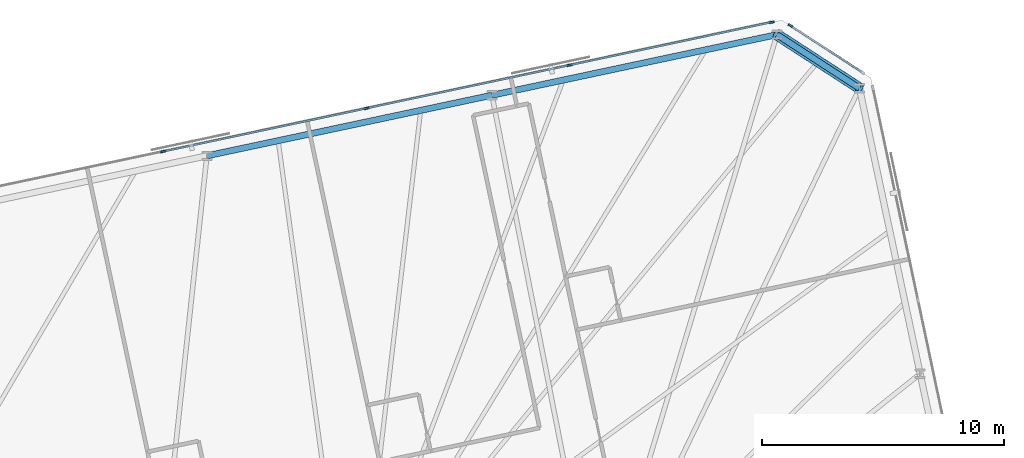
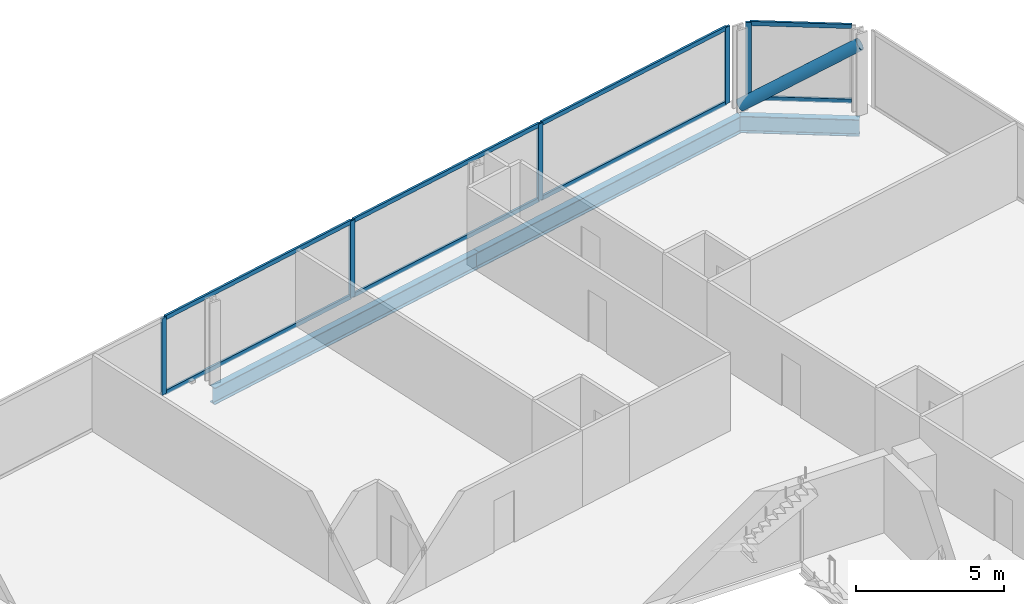
# One storey, part 11 of 19: 14 members, 3 beams, 2 elements without a shape of their own.
"""IFC4 building model written with IfcOpenShell, lengths in metres."""

import ifcopenshell
import ifcopenshell.guid

model = None  # the IFC model being written
_history = None  # IfcOwnerHistory: only IFC2X3 demands one
_inside = {}  # id of a spatial element -> (the spatial element, [elements in it])
_under = {}  # id of a project, library or spatial element -> (it, [spatial elements below it])
_declared = {}  # id of a project -> (the project, [libraries it declares])
_typed = {}  # id of a type object -> (the type object, [elements of that type])
_made_of = {}  # id of a material, layer set ... -> (it, [elements and type objects made of it])


def new_model(schema):
    """Start an empty IFC model of exactly this schema.

    Asked for "IFC4X3", IfcOpenShell would pick the latest addendum, in which some entities
    have other attributes; the version numbers below select the first issue.
    IFC2X3 requires an IfcOwnerHistory on every rooted entity: one is made here for all.
    """
    global model, _history
    if schema == "IFC4X3":
        model = ifcopenshell.file(schema_version=(4, 3, 0, 0))
    else:
        model = ifcopenshell.file(schema=schema)
    _inside.clear()
    _under.clear()
    _declared.clear()
    _typed.clear()
    _made_of.clear()
    _history = None
    if model.schema == "IFC2X3":
        org = make("IfcOrganization", Name="unknown")
        user = make(
            "IfcPersonAndOrganization",
            ThePerson=make("IfcPerson", FamilyName="unknown"),
            TheOrganization=org,
        )
        app = make(
            "IfcApplication",
            ApplicationDeveloper=org,
            Version="unknown",
            ApplicationFullName="unknown",
            ApplicationIdentifier="unknown",
        )
        _history = make(
            "IfcOwnerHistory",
            OwningUser=user,
            OwningApplication=app,
            ChangeAction="ADDED",
            CreationDate=0,
        )
    return model


def make(cls, **values):
    """One entity of the class cls with the attributes given. An attribute that is None is left unset."""
    return model.create_entity(
        cls, **{name: value for name, value in values.items() if value is not None}
    )


def rooted(cls, **values):
    """An entity with a GlobalId (a new one), such as an element, a storey or a relation."""
    return make(cls, GlobalId=ifcopenshell.guid.new(), OwnerHistory=_history, **values)


def si_unit(unit_type, name, prefix=None):
    """IfcSIUnit, for example si_unit("LENGTHUNIT", "METRE", prefix="MILLI")."""
    return make("IfcSIUnit", UnitType=unit_type, Prefix=prefix, Name=name)


def assignment(units):
    """IfcUnitAssignment: the units of a project."""
    return None if units is None else make("IfcUnitAssignment", Units=units)


def point(xyz):
    """IfcCartesianPoint."""
    return None if xyz is None else make("IfcCartesianPoint", Coordinates=xyz)


def direction(xyz):
    """IfcDirection."""
    return None if xyz is None else make("IfcDirection", DirectionRatios=xyz)


def frame(location, z_axis=None, x_axis=None):
    """IfcAxis2Placement3D, a coordinate frame: its origin and axes. An axis left out is left unset."""
    return make(
        "IfcAxis2Placement3D",
        Location=point(location),
        Axis=direction(z_axis),
        RefDirection=direction(x_axis),
    )


def frame_2d(location, x_axis=None):
    """IfcAxis2Placement2D, a coordinate frame in the plane: its origin and x axis."""
    return make(
        "IfcAxis2Placement2D", Location=point(location), RefDirection=direction(x_axis)
    )


def origin():
    """The frame at (0, 0, 0) with its axes left unset."""
    return frame((0.0, 0.0, 0.0))


def origin_2d():
    """The frame at (0, 0) in the plane with its x axis left unset."""
    return frame_2d((0.0, 0.0))


def place(relative_to, where):
    """IfcLocalPlacement: puts the frame where relative to a parent placement (None: the world)."""
    return make(
        "IfcLocalPlacement", PlacementRelTo=relative_to, RelativePlacement=where
    )


def context(
    kind, dimensions, precision=None, world=None, true_north=None, identifier=None
):
    """IfcGeometricRepresentationContext, for example the 3D "Model" context."""
    return make(
        "IfcGeometricRepresentationContext",
        ContextIdentifier=identifier,
        ContextType=kind,
        CoordinateSpaceDimension=dimensions,
        Precision=precision,
        WorldCoordinateSystem=world,
        TrueNorth=true_north,
    )


def subcontext(parent, identifier, kind, view, scale=None):
    """IfcGeometricRepresentationSubContext, for example "Body" below "Model"."""
    return make(
        "IfcGeometricRepresentationSubContext",
        ContextIdentifier=identifier,
        ContextType=kind,
        ParentContext=parent,
        TargetScale=scale,
        TargetView=view,
    )


def project(units=None, contexts=None):
    """IfcProject with its units and contexts."""
    return rooted(
        "IfcProject",
        Name="project",
        RepresentationContexts=contexts,
        UnitsInContext=assignment(units),
    )


def spatial(cls, under=None, at=None, **own):
    """A site, building, storey or space (cls), placed at a placement, below another one or the project."""
    s = rooted(cls, ObjectPlacement=at, **own)
    if under is not None:
        _under.setdefault(under.id(), (under, []))[1].append(s)
    return s


def profile(cls, at=None, kind="AREA", **sizes):
    """A parametric profile (cls). Its sizes go by their IFC names, for example OverallWidth=200.0."""
    return make(cls, ProfileType=kind, Position=at, **sizes)


def rectangle(**sizes):
    """IfcRectangleProfileDef."""
    return profile("IfcRectangleProfileDef", **sizes)


def hollow_circle(**sizes):
    """IfcCircleHollowProfileDef."""
    return profile("IfcCircleHollowProfileDef", **sizes)


def i_section(**sizes):
    """IfcIShapeProfileDef."""
    return profile("IfcIShapeProfileDef", **sizes)


def extrude(swept, where, along, depth):
    """IfcExtrudedAreaSolid: the profile swept, set in the frame where, extruded along a direction by depth."""
    return make(
        "IfcExtrudedAreaSolid",
        SweptArea=swept,
        Position=where,
        ExtrudedDirection=direction(along),
        Depth=depth,
    )


def shape(context_of_items, identifier, shape_type, items):
    """IfcShapeRepresentation: the items that make up one representation, for example the "Body"."""
    return make(
        "IfcShapeRepresentation",
        ContextOfItems=context_of_items,
        RepresentationIdentifier=identifier,
        RepresentationType=shape_type,
        Items=items,
    )


def material(Name=None, Category=None):
    """IfcMaterial."""
    return make("IfcMaterial", Name=Name, Category=Category)


def material_profile(
    of_material, cross_section, Name=None, Category=None, Priority=None
):
    """IfcMaterialProfile: a cross section and its material."""
    return make(
        "IfcMaterialProfile",
        Name=Name,
        Material=of_material,
        Profile=cross_section,
        Priority=Priority,
        Category=Category,
    )


def profile_set(profiles, Name=None, composite=None):
    """IfcMaterialProfileSet."""
    return make(
        "IfcMaterialProfileSet",
        Name=Name,
        MaterialProfiles=profiles,
        CompositeProfile=composite,
    )


def made_of(thing, what):
    """Note that an element or type object is made of a material, layer set ...; save() writes the relation."""
    if what is not None:
        _made_of.setdefault(what.id(), (what, []))[1].append(thing)
    return thing


def type_object(cls, material=None, **own):
    """A type object (cls), such as IfcWallType, which elements share."""
    return made_of(rooted(cls, **own), material)


def element(
    cls,
    number,
    at=None,
    inside=None,
    cuts=None,
    type_object=None,
    material=None,
    context=None,
    identifier="Body",
    shape_type=None,
    held_by="IfcProductDefinitionShape",
    body=None,
    shapes=None,
    **own,
):
    """One element of the class cls, such as IfcWall. Its Tag is "e" and its number.

    at: its placement. inside: the storey or other place that contains it. cuts: it is an
    opening in that element (IfcRelVoidsElement). A single representation is given by context,
    identifier, shape_type and body (its items); several are given by shapes. held_by: the class
    of the entity that holds the representations. save() writes the other relations.
    """
    e = rooted(cls, Tag="e%d" % number, ObjectPlacement=at, **own)
    if body is not None:
        shapes = [shape(context, identifier, shape_type, body)]
    if shapes is not None:
        e.Representation = make(held_by, Representations=shapes)
    if inside is not None:
        _inside.setdefault(inside.id(), (inside, []))[1].append(e)
    if cuts is not None:
        rooted(
            "IfcRelVoidsElement", RelatingBuildingElement=cuts, RelatedOpeningElement=e
        )
    if type_object is not None:
        _typed.setdefault(type_object.id(), (type_object, []))[1].append(e)
    return made_of(e, material)


def aggregate(whole, parts):
    """IfcRelAggregates: a whole, such as a stair, and the parts it consists of."""
    return rooted("IfcRelAggregates", RelatingObject=whole, RelatedObjects=parts)


def save(model, path):
    """Write the relations noted so far, then the file.

    IfcRelAggregates (storeys below a building ...), IfcRelContainedInSpatialStructure (elements
    in a storey), IfcRelDefinesByType, IfcRelAssociatesMaterial and IfcRelDeclares: one each for
    every whole, place, type object, material and project.
    """
    for whole, parts in _under.values():
        aggregate(whole, parts)
    for where, things in _inside.values():
        rooted(
            "IfcRelContainedInSpatialStructure",
            RelatedElements=things,
            RelatingStructure=where,
        )
    for kind, things in _typed.values():
        rooted("IfcRelDefinesByType", RelatedObjects=things, RelatingType=kind)
    for what, things in _made_of.values():
        rooted("IfcRelAssociatesMaterial", RelatedObjects=things, RelatingMaterial=what)
    for by, libraries in _declared.values():
        rooted("IfcRelDeclares", RelatingContext=by, RelatedDefinitions=libraries)
    model.write(path)


model = new_model("IFC4")

# Units and contexts
model_context = context("Model", 3, precision=1e-05, world=origin(), true_north=direction((0.0, 1.0)))
body_context = subcontext(model_context, "Body", "Model", "MODEL_VIEW")
ifc_project = project(units=[si_unit("LENGTHUNIT", "METRE"), si_unit("AREAUNIT", "SQUARE_METRE"), si_unit("VOLUMEUNIT", "CUBIC_METRE"), si_unit("PLANEANGLEUNIT", "RADIAN"), si_unit("MASSUNIT", "GRAM", prefix="KILO")], contexts=[model_context])

# Site, building, storey
site_placement = place(None, origin())
site = spatial("IfcSite", under=ifc_project, at=site_placement, CompositionType="ELEMENT")
building_placement = place(site_placement, origin())
building = spatial("IfcBuilding", under=site, at=building_placement, Name="Menara Jurai Vektor", CompositionType="ELEMENT")
storey_placement = place(building_placement, frame((0.0, 0.0, 182.0)))
storey = spatial("IfcBuildingStorey", under=building, at=storey_placement, Name="L47", CompositionType="ELEMENT", Elevation=182.0)

# Curtain wall, member
ifc_material_1 = material(Name="Anodised Pale Aluminium & Low-E Double Glazing", Category="aluminium")
curtain_wall_type = type_object("IfcCurtainWallType", Name="CW-BLK3", PredefinedType="NOTDEFINED", material=ifc_material_1)
curtain_wall_1_placement = place(storey_placement, origin())
curtain_wall_1 = element("IfcCurtainWall", 1, at=curtain_wall_1_placement, inside=storey, type_object=curtain_wall_type, Name="Unitised Curtain Wall L47 F04", PredefinedType="NOTDEFINED")
ifc_material_2 = material(Name="Anodised Pale Aluminium Mullion", Category="aluminium")
ifc_material_profile_1 = material_profile(ifc_material_2, rectangle(XDim=0.0849609375, YDim=0.205078125, at=origin_2d()), Name="ALU MUL 85x205")
ifc_profile_set_1 = profile_set([ifc_material_profile_1], Name="Anodised Pale Aluminium Mullion")
member_type_1 = type_object("IfcMemberType", Name="CW-BLK3-MUL", PredefinedType="MULLION", material=ifc_profile_set_1)
member_1_placement = place(storey_placement, frame((23.219970703125, 29.920654296875, 0.0), z_axis=(0.0, 0.0, 1.0), x_axis=(-0.544617794346, -0.838684361415, 0.0)))
member_1 = element("IfcMember", 2, at=member_1_placement, type_object=member_type_1, Name="CW-03 mullion 2", PredefinedType="MULLION", context=body_context, shape_type="SweptSolid", body=[
    extrude(rectangle(XDim=0.0849609375, YDim=0.205078125, at=origin_2d()), origin(), (0.0, 0.0, 1.0), 3.175048828125),
])

# Curtain wall, members
curtain_wall_2_placement = place(storey_placement, origin())
curtain_wall_2 = element("IfcCurtainWall", 3, at=curtain_wall_2_placement, inside=storey, type_object=curtain_wall_type, Name="Unitised Curtain Wall L47 F05", PredefinedType="NOTDEFINED")
member_2_placement = place(storey_placement, frame((22.452392578125, 30.062744140625, 0.0), z_axis=(0.0, 0.0, 1.0), x_axis=(0.207911344156, -0.978147674419, 0.0)))
member_2 = element("IfcMember", 4, at=member_2_placement, type_object=member_type_1, Name="CW-03 mullion 1", PredefinedType="MULLION", context=body_context, shape_type="SweptSolid", body=[
    extrude(rectangle(XDim=0.0849609375, YDim=0.205078125, at=origin_2d()), origin(), (0.0, 0.0, 1.0), 3.175048828125),
])
member_3_placement = place(storey_placement, frame((14.104248046875, 28.288330078125, 0.0), z_axis=(0.0, 0.0, 1.0), x_axis=(0.207911344156, -0.978147674419, 0.0)))
member_3 = element("IfcMember", 5, at=member_3_placement, type_object=member_type_1, Name="CW-03 mullion 2", PredefinedType="MULLION", context=body_context, shape_type="SweptSolid", body=[
    extrude(rectangle(XDim=0.0849609375, YDim=0.205078125, at=origin_2d()), origin(), (0.0, 0.0, 1.0), 3.175048828125),
])
member_4_placement = place(storey_placement, frame((5.71435546875, 26.505126953125, 0.0), z_axis=(0.0, 0.0, 1.0), x_axis=(0.207911344156, -0.978147674419, 0.0)))
member_4 = element("IfcMember", 6, at=member_4_placement, type_object=member_type_1, Name="CW-03 mullion 3", PredefinedType="MULLION", context=body_context, shape_type="SweptSolid", body=[
    extrude(rectangle(XDim=0.0849609375, YDim=0.205078125, at=origin_2d()), origin(), (0.0, 0.0, 1.0), 3.175048828125),
])
member_5_placement = place(storey_placement, frame((-2.67529296875, 24.721923828125, 0.0), z_axis=(0.0, 0.0, 1.0), x_axis=(0.207911344156, -0.978147674419, 0.0)))
member_5 = element("IfcMember", 7, at=member_5_placement, type_object=member_type_1, Name="CW-03 mullion 4", PredefinedType="MULLION", context=body_context, shape_type="SweptSolid", body=[
    extrude(rectangle(XDim=0.0849609375, YDim=0.205078125, at=origin_2d()), origin(), (0.0, 0.0, 1.0), 3.175048828125),
])

# Member
ifc_material_3 = material(Name="Anodised Pale Aluminium Transom", Category="aluminium")
ifc_material_profile_2 = material_profile(ifc_material_3, rectangle(XDim=0.0849609375, YDim=0.175048828125, at=origin_2d()), Name="ALU TRN 85x175")
ifc_profile_set_2 = profile_set([ifc_material_profile_2], Name="Anodised Pale Aluminium Transom")
member_type_2 = type_object("IfcMemberType", Name="CW-BLK3-TRN", PredefinedType="USERDEFINED", material=ifc_profile_set_2)
member_6_placement = place(storey_placement, frame((26.15234375, 28.016357421875, 0.04248046875), z_axis=(-0.83867770631, 0.54462804274, 0.0), x_axis=(-0.54462804274, -0.83867770631, 0.0)))
member_6 = element("IfcMember", 8, at=member_6_placement, type_object=member_type_2, Name="CW-03 transom 1.1", ObjectType="TRANSOM", PredefinedType="USERDEFINED", context=body_context, shape_type="SweptSolid", body=[
    extrude(rectangle(XDim=0.0849609375, YDim=0.175048828125, at=origin_2d()), origin(), (0.0, 0.0, 1.0), 3.453857421875),
])

member_7_placement = place(storey_placement, frame((26.15234375, 28.016357421875, 3.132568359375), z_axis=(-0.83867770631, 0.54462804274, 0.0), x_axis=(-0.54462804274, -0.83867770631, 0.0)))
member_7 = element("IfcMember", 9, at=member_7_placement, type_object=member_type_2, Name="CW-03 transom 1.2", ObjectType="TRANSOM", PredefinedType="USERDEFINED", context=body_context, shape_type="SweptSolid", body=[
    extrude(rectangle(XDim=0.0849609375, YDim=0.175048828125, at=origin_2d()), origin(), (0.0, 0.0, 1.0), 3.453857421875),
])

aggregate(curtain_wall_1, [member_1, member_6, member_7])

member_8_placement = place(storey_placement, frame((22.41064453125, 30.053955078125, 0.04248046875), z_axis=(-0.978151580361, -0.207892967261, 0.0), x_axis=(0.207892967261, -0.978151580361, 0.0)))
member_8 = element("IfcMember", 10, at=member_8_placement, type_object=member_type_2, Name="CW-03 transom 1.1", ObjectType="TRANSOM", PredefinedType="USERDEFINED", context=body_context, shape_type="SweptSolid", body=[
    extrude(rectangle(XDim=0.0849609375, YDim=0.175048828125, at=origin_2d()), origin(), (0.0, 0.0, 1.0), 8.449462890625),
])

member_9_placement = place(storey_placement, frame((22.41064453125, 30.053955078125, 3.132568359375), z_axis=(-0.978151580361, -0.207892967261, 0.0), x_axis=(0.207892967261, -0.978151580361, 0.0)))
member_9 = element("IfcMember", 11, at=member_9_placement, type_object=member_type_2, Name="CW-03 transom 1.2", ObjectType="TRANSOM", PredefinedType="USERDEFINED", context=body_context, shape_type="SweptSolid", body=[
    extrude(rectangle(XDim=0.0849609375, YDim=0.175048828125, at=origin_2d()), origin(), (0.0, 0.0, 1.0), 8.449462890625),
])

member_10_placement = place(storey_placement, frame((14.0625, 28.279541015625, 0.04248046875), z_axis=(-0.978146500933, -0.207916864907, 0.0), x_axis=(0.207916864907, -0.978146500933, 0.0)))
member_10 = element("IfcMember", 12, at=member_10_placement, type_object=member_type_2, Name="CW-03 transom 2.1", ObjectType="TRANSOM", PredefinedType="USERDEFINED", context=body_context, shape_type="SweptSolid", body=[
    extrude(rectangle(XDim=0.0849609375, YDim=0.175048828125, at=origin_2d()), origin(), (0.0, 0.0, 1.0), 8.491943359375),
])

member_11_placement = place(storey_placement, frame((14.0625, 28.279541015625, 3.132568359375), z_axis=(-0.978146500933, -0.207916864907, 0.0), x_axis=(0.207916864907, -0.978146500933, 0.0)))
member_11 = element("IfcMember", 13, at=member_11_placement, type_object=member_type_2, Name="CW-03 transom 2.2", ObjectType="TRANSOM", PredefinedType="USERDEFINED", context=body_context, shape_type="SweptSolid", body=[
    extrude(rectangle(XDim=0.0849609375, YDim=0.175048828125, at=origin_2d()), origin(), (0.0, 0.0, 1.0), 8.491943359375),
])

member_12_placement = place(storey_placement, frame((5.6728515625, 26.496337890625, 0.04248046875), z_axis=(-0.978147743708, -0.207911018178, 0.0), x_axis=(0.207911018178, -0.978147743708, 0.0)))
member_12 = element("IfcMember", 14, at=member_12_placement, type_object=member_type_2, Name="CW-03 transom 3.1", ObjectType="TRANSOM", PredefinedType="USERDEFINED", context=body_context, shape_type="SweptSolid", body=[
    extrude(rectangle(XDim=0.0849609375, YDim=0.175048828125, at=origin_2d()), origin(), (0.0, 0.0, 1.0), 8.4921875),
])

member_13_placement = place(storey_placement, frame((5.6728515625, 26.496337890625, 3.132568359375), z_axis=(-0.978147743708, -0.207911018178, 0.0), x_axis=(0.207911018178, -0.978147743708, 0.0)))
member_13 = element("IfcMember", 15, at=member_13_placement, type_object=member_type_2, Name="CW-03 transom 3.2", ObjectType="TRANSOM", PredefinedType="USERDEFINED", context=body_context, shape_type="SweptSolid", body=[
    extrude(rectangle(XDim=0.0849609375, YDim=0.175048828125, at=origin_2d()), origin(), (0.0, 0.0, 1.0), 8.4921875),
])

aggregate(curtain_wall_2, [member_2, member_3, member_4, member_5, member_8, member_9, member_10, member_11, member_12, member_13])

ifc_material_4 = material(Name="Steel S460", Category="steel")
ifc_material_profile_3 = material_profile(ifc_material_4, hollow_circle(Radius=0.228515625, WallThickness=0.01611328125, at=origin_2d()), Name="CHS 457x16")
ifc_profile_set_3 = profile_set([ifc_material_profile_3], Name="Steel S460")
member_type_3 = type_object("IfcMemberType", Name="STR-BR-457", PredefinedType="BRACE", material=ifc_profile_set_3)
member_14_placement = place(storey_placement, frame((22.664794921875, 29.545654296875, 0.14990234375), z_axis=(0.700418818423, -0.454848055166, 0.550024295382), x_axis=(0.544631249681, 0.838675623749, 0.0)))
element("IfcMember", 16, at=member_14_placement, inside=storey, type_object=member_type_3, Name="Exoskeleton Corner Brace L47-2", PredefinedType="BRACE", context=body_context, shape_type="SweptSolid", body=[
    extrude(hollow_circle(Radius=0.228515625, WallThickness=0.01611328125, at=origin_2d()), origin(), (0.0, 0.0, 1.0), 4.863525390625),
])

# Beams
ifc_material_profile_4 = material_profile(ifc_material_4, i_section(OverallWidth=0.256103515625, OverallDepth=0.693115234375, WebThickness=0.013916015625, FlangeThickness=0.02392578125, FilletRadius=0.014892578125, at=origin_2d()), Name="UKB 686x254x170")
ifc_profile_set_4 = profile_set([ifc_material_profile_4], Name="Steel S460")
beam_type = type_object("IfcBeamType", Name="STR-SP-686", PredefinedType="SPANDREL", material=ifc_profile_set_4)
beam_1_placement = place(storey_placement, frame((26.0712890625, 27.33349609375, -0.571533203125), z_axis=(-0.838675623749, 0.544631249681, 0.0), x_axis=(-0.544631249681, -0.838675623749, 0.0)))
element("IfcBeam", 17, at=beam_1_placement, inside=storey, type_object=beam_type, Name="Exoskeleton Spandrel Beam L47-10", PredefinedType="SPANDREL", context=body_context, shape_type="SweptSolid", body=[
    extrude(i_section(OverallWidth=0.256103515625, OverallDepth=0.693115234375, WebThickness=0.013916015625, FlangeThickness=0.02392578125, FilletRadius=0.014892578125, at=origin_2d()), origin(), (0.0, 0.0, 1.0), 4.061767578125),
])
beam_2_placement = place(storey_placement, frame((22.664794921875, 29.545654296875, -0.571533203125), z_axis=(-0.978147039247, -0.207914332389, 0.0), x_axis=(0.207914332389, -0.978147039247, 0.0)))
element("IfcBeam", 18, at=beam_2_placement, inside=storey, type_object=beam_type, Name="Exoskeleton Spandrel Beam L47-11", PredefinedType="SPANDREL", context=body_context, shape_type="SweptSolid", body=[
    extrude(i_section(OverallWidth=0.256103515625, OverallDepth=0.693115234375, WebThickness=0.013916015625, FlangeThickness=0.02392578125, FilletRadius=0.014892578125, at=origin_2d()), origin(), (0.0, 0.0, 1.0), 12.03125),
])
beam_3_placement = place(storey_placement, frame((10.896484375, 27.044189453125, -0.571533203125), z_axis=(-0.978150288855, -0.207899043801, 0.0), x_axis=(0.207899043801, -0.978150288855, 0.0)))
element("IfcBeam", 19, at=beam_3_placement, inside=storey, type_object=beam_type, Name="Exoskeleton Spandrel Beam L47-12", PredefinedType="SPANDREL", context=body_context, shape_type="SweptSolid", body=[
    extrude(i_section(OverallWidth=0.256103515625, OverallDepth=0.693115234375, WebThickness=0.013916015625, FlangeThickness=0.02392578125, FilletRadius=0.014892578125, at=origin_2d()), origin(), (0.0, 0.0, 1.0), 12.031005859375),
])

save(model, "model.ifc")
